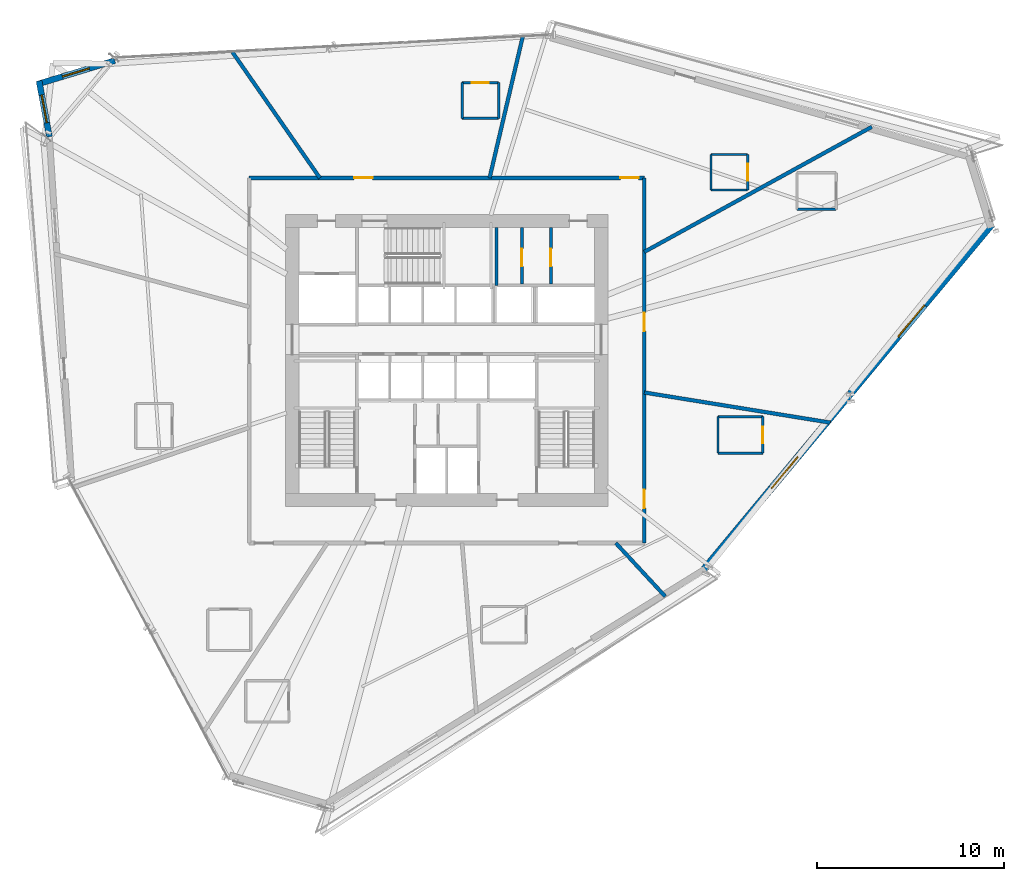
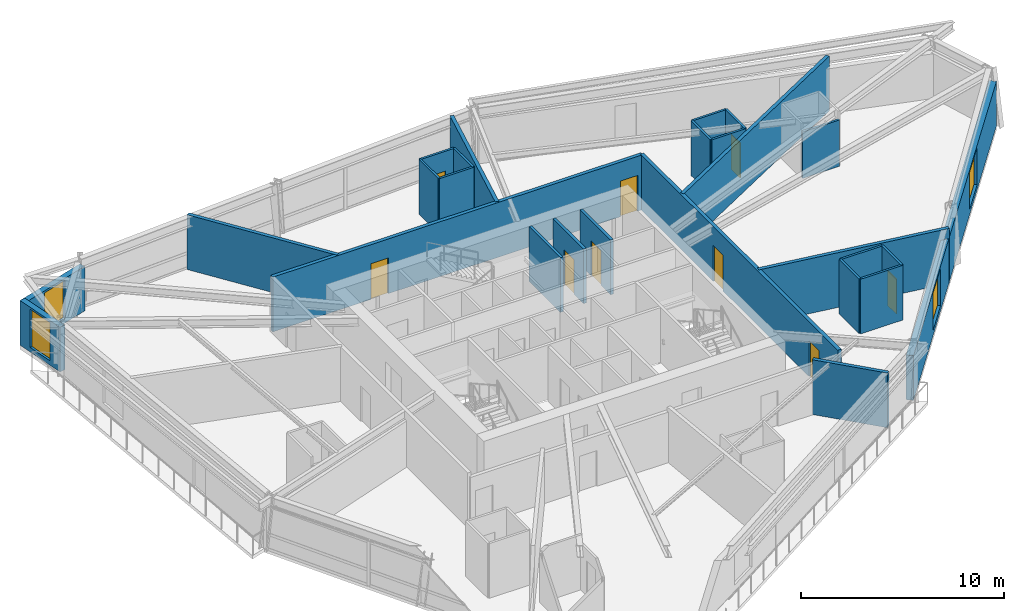
# One storey, part 16 of 21: 26 walls, 9 doors, 4 windows, 13 openings.
"""IFC4 building model written with IfcOpenShell, lengths in metres."""

from ifc_helpers import new_model, si_unit, direction, frame, frame_2d, origin, place, context, subcontext, project, spatial, rectangle, extrude, source, transform, mapped, material, layer, layer_set, type_object, type_shapes, element, fill, save


model = new_model("IFC4")

# Units and contexts
model_context = context("Model", 3, precision=1e-05, world=origin(), true_north=direction((0.0, 1.0)))
body_context = subcontext(model_context, "Body", "Model", "MODEL_VIEW")
ifc_project = project(units=[si_unit("LENGTHUNIT", "METRE"), si_unit("AREAUNIT", "SQUARE_METRE"), si_unit("VOLUMEUNIT", "CUBIC_METRE"), si_unit("PLANEANGLEUNIT", "RADIAN"), si_unit("MASSUNIT", "GRAM", prefix="KILO")], contexts=[model_context])

# Site, building, storey
site_placement = place(None, origin())
site = spatial("IfcSite", under=ifc_project, at=site_placement, CompositionType="ELEMENT")
building_placement = place(site_placement, origin())
building = spatial("IfcBuilding", under=site, at=building_placement, Name="Olszyna Solenne Hotel", CompositionType="ELEMENT")
storey_placement = place(building_placement, frame((0.0, 0.0, 105.699951171875)))
storey = spatial("IfcBuildingStorey", under=building, at=storey_placement, Name="L27", CompositionType="ELEMENT", Elevation=105.699951171875)

# Wall, opening, window
ifc_material_1 = material(Name="Precast concrete C45/55", Category="concrete")
ifc_layer_1 = layer(ifc_material_1, 0.320068359375, Name="Precast concrete C45/55")
ifc_layer_set_1 = layer_set([ifc_layer_1], Name="Precast concrete C45/55")
wall_type_1 = type_object("IfcWallType", Name="WL-EX320", PredefinedType="SOLIDWALL", material=ifc_layer_set_1)
wall_1_placement = place(storey_placement, frame((16.776123046875, 38.55029296875, 0.0), z_axis=(0.0, 0.0, 1.0), x_axis=(-0.181703114271, 0.98335343507, 0.0)))
wall_1 = element("IfcWall", 1, at=wall_1_placement, inside=storey, type_object=wall_type_1, Name="Exterior terracotta-precast frame wall WL-EX320 EW-L27-05", PredefinedType="SOLIDWALL", context=body_context, shape_type="SweptSolid", body=[
    extrude(rectangle(XDim=3.033935546875, YDim=0.320068359375, at=frame_2d((1.51708984375, 0.0))), origin(), (0.0, 0.0, 1.0), 2.692138671875),
])
opening_1_placement = place(wall_1_placement, frame((0.76708984375, 0.0, 0.27197265625)))
opening_1 = element("IfcOpeningElement", 2, at=opening_1_placement, cuts=wall_1, Name="Opening WN-L27-149", PredefinedType="OPENING", context=body_context, shape_type="SweptSolid", body=[
    extrude(rectangle(XDim=1.5, YDim=2.300048828125, at=frame_2d((0.75, 1.14990234375))), frame((0.0, 0.169921875, 0.0), z_axis=(0.0, -1.0, 0.0), x_axis=(1.0, 0.0, 0.0)), (0.0, 0.0, 1.0), 0.340087890625),
])
ifc_material_2 = material(Name="Low-E triple glazing", Category="glass")
window_type_1 = type_object("IfcWindowType", Name="WN-CH1", PartitioningType="SINGLE_PANEL", PredefinedType="WINDOW", material=ifc_material_2)
shared_shape_1 = source(origin(), body_context, "Body", "SweptSolid", [
    extrude(rectangle(XDim=1.5, YDim=2.300048828125, at=frame_2d((0.75, 1.14990234375))), frame((0.0, 0.030029296875, 0.0), z_axis=(0.0, -1.0, 0.0), x_axis=(1.0, 0.0, 0.0)), (0.0, 0.0, 1.0), 0.06005859375),
])
type_shapes(window_type_1, [shared_shape_1])
window_1_placement = place(opening_1_placement, origin())
window_1 = element("IfcWindow", 3, at=window_1_placement, inside=storey, type_object=window_type_1, Name="Exterior facade window WN-CH1 WN-L27-149", OverallHeight=2.300048828125, OverallWidth=1.5, PartitioningType="SINGLE_PANEL", PredefinedType="WINDOW", context=body_context, shape_type="MappedRepresentation", body=[
    mapped(shared_shape_1, transform((0.0, 0.0, 0.0), x_axis=(1.0, 0.0, 0.0), y_axis=(0.0, 1.0, 0.0), z_axis=(0.0, 0.0, 1.0), scale=1.0)),
])
fill(opening_1, window_1)

wall_2_placement = place(storey_placement, frame((16.1142578125, 41.3515625, 0.0), z_axis=(0.0, 0.0, 1.0), x_axis=(0.956635734965, 0.291286921415, 0.0)))
wall_2 = element("IfcWall", 4, at=wall_2_placement, inside=storey, type_object=wall_type_1, Name="Exterior terracotta-precast frame wall WL-EX320 EW-L27-06", PredefinedType="SOLIDWALL", context=body_context, shape_type="SweptSolid", body=[
    extrude(rectangle(XDim=4.341552734375, YDim=0.320068359375, at=frame_2d((2.1708984375, 0.0))), origin(), (0.0, 0.0, 1.0), 2.692138671875),
])
opening_2_placement = place(wall_2_placement, frame((1.4208984375, 0.0, 0.27197265625)))
opening_2 = element("IfcOpeningElement", 5, at=opening_2_placement, cuts=wall_2, Name="Opening WN-L27-150", PredefinedType="OPENING", context=body_context, shape_type="SweptSolid", body=[
    extrude(rectangle(XDim=1.5, YDim=2.300048828125, at=frame_2d((0.75, 1.14990234375))), frame((0.0, 0.169921875, 0.0), z_axis=(0.0, -1.0, 0.0), x_axis=(1.0, 0.0, 0.0)), (0.0, 0.0, 1.0), 0.340087890625),
])
window_2_placement = place(opening_2_placement, origin())
window_2 = element("IfcWindow", 6, at=window_2_placement, inside=storey, type_object=window_type_1, Name="Exterior facade window WN-CH1 WN-L27-150", OverallHeight=2.300048828125, OverallWidth=1.5, PartitioningType="SINGLE_PANEL", PredefinedType="WINDOW", context=body_context, shape_type="MappedRepresentation", body=[
    mapped(shared_shape_1, transform((0.0, 0.0, 0.0), x_axis=(1.0, 0.0, 0.0), y_axis=(0.0, 1.0, 0.0), z_axis=(0.0, 0.0, 1.0), scale=1.0)),
])
fill(opening_2, window_2)

# Wall, openings, windows
ifc_material_3 = material(Name="Terracotta cladding on precast concrete C45/55", Category="masonry")
ifc_layer_2 = layer(ifc_material_3, 0.3798828125, Name="Terracotta cladding on precast concrete C45/55")
ifc_layer_set_2 = layer_set([ifc_layer_2], Name="Terracotta cladding on precast concrete C45/55")
wall_type_2 = type_object("IfcWallType", Name="WL-EX380", PredefinedType="SOLIDWALL", material=ifc_layer_set_2)
wall_3_placement = place(storey_placement, frame((67.109375, 33.873291015625, 0.0), z_axis=(0.0, 0.0, 1.0), x_axis=(-0.640571779822, -0.767898297234, 0.0)))
wall_3 = element("IfcWall", 7, at=wall_3_placement, inside=storey, type_object=wall_type_2, Name="Exterior terracotta-precast frame wall WL-EX380 EW-L27-10", PredefinedType="SOLIDWALL", context=body_context, shape_type="SweptSolid", body=[
    extrude(rectangle(XDim=23.985107421875, YDim=0.3798828125, at=frame_2d((11.99267578125, 0.0))), origin(), (0.0, 0.0, 1.0), 2.692138671875),
])
opening_3_placement = place(wall_3_placement, frame((5.615966796875, 0.0, 0.322021484375)))
opening_3 = element("IfcOpeningElement", 8, at=opening_3_placement, cuts=wall_3, Name="Opening WN-L27-152", PredefinedType="OPENING", context=body_context, shape_type="SweptSolid", body=[
    extrude(rectangle(XDim=2.199951171875, YDim=2.25, at=frame_2d((1.10009765625, 1.125))), frame((0.0, 0.199951171875, 0.0), z_axis=(0.0, -1.0, 0.0), x_axis=(1.0, 0.0, 0.0)), (0.0, 0.0, 1.0), 0.39990234375),
])
opening_4_placement = place(wall_3_placement, frame((16.1689453125, 0.0, 0.322021484375)))
opening_4 = element("IfcOpeningElement", 9, at=opening_4_placement, cuts=wall_3, Name="Opening WN-L27-153", PredefinedType="OPENING", context=body_context, shape_type="SweptSolid", body=[
    extrude(rectangle(XDim=2.199951171875, YDim=2.25, at=frame_2d((1.10009765625, 1.125))), frame((0.0, 0.199951171875, 0.0), z_axis=(0.0, -1.0, 0.0), x_axis=(1.0, 0.0, 0.0)), (0.0, 0.0, 1.0), 0.39990234375),
])
window_type_2 = type_object("IfcWindowType", Name="WN-HT2", PartitioningType="SINGLE_PANEL", PredefinedType="WINDOW", material=ifc_material_2)
shared_shape_2 = source(origin(), body_context, "Body", "SweptSolid", [
    extrude(rectangle(XDim=2.199951171875, YDim=2.25, at=frame_2d((1.10009765625, 1.125))), frame((0.0, 0.030029296875, 0.0), z_axis=(0.0, -1.0, 0.0), x_axis=(1.0, 0.0, 0.0)), (0.0, 0.0, 1.0), 0.06005859375),
])
type_shapes(window_type_2, [shared_shape_2])
window_3_placement = place(opening_3_placement, origin())
window_3 = element("IfcWindow", 10, at=window_3_placement, inside=storey, type_object=window_type_2, Name="Exterior facade window WN-HT2 WN-L27-152", OverallHeight=2.25, OverallWidth=2.199951171875, PartitioningType="SINGLE_PANEL", PredefinedType="WINDOW", context=body_context, shape_type="MappedRepresentation", body=[
    mapped(shared_shape_2, transform((0.0, 0.0, 0.0), x_axis=(1.0, 0.0, 0.0), y_axis=(0.0, 1.0, 0.0), z_axis=(0.0, 0.0, 1.0), scale=1.0)),
])
fill(opening_3, window_3)
window_4_placement = place(opening_4_placement, origin())
window_4 = element("IfcWindow", 11, at=window_4_placement, inside=storey, type_object=window_type_2, Name="Exterior facade window WN-HT2 WN-L27-153", OverallHeight=2.25, OverallWidth=2.199951171875, PartitioningType="SINGLE_PANEL", PredefinedType="WINDOW", context=body_context, shape_type="MappedRepresentation", body=[
    mapped(shared_shape_2, transform((0.0, 0.0, 0.0), x_axis=(1.0, 0.0, 0.0), y_axis=(0.0, 1.0, 0.0), z_axis=(0.0, 0.0, 1.0), scale=1.0)),
])
fill(opening_4, window_4)

# Wall, opening, door
ifc_material_4 = material(Name="Acoustic gypsum partition", Category="gypsum")
ifc_layer_3 = layer(ifc_material_4, 0.125, Name="Acoustic gypsum partition")
ifc_layer_set_3 = layer_set([ifc_layer_3], Name="Acoustic gypsum partition")
wall_type_3 = type_object("IfcWallType", Name="WL-PT125", PredefinedType="PARTITIONING", material=ifc_layer_set_3)
wall_4_placement = place(storey_placement, frame((54.885009765625, 21.64794921875, 0.0), z_axis=(0.0, 0.0, 1.0), x_axis=(0.0, 1.0, 0.0)))
wall_4 = element("IfcWall", 12, at=wall_4_placement, inside=storey, type_object=wall_type_3, Name="Interior acoustic partition WL-PT125 PW-L27-1567", PredefinedType="PARTITIONING", context=body_context, shape_type="SweptSolid", body=[
    extrude(rectangle(XDim=1.949951171875, YDim=0.125, at=frame_2d((0.97509765625, 0.0))), origin(), (0.0, 0.0, 1.0), 3.300048828125),
])
opening_5_placement = place(wall_4_placement, frame((0.52490234375, 0.0, 0.0)))
opening_5 = element("IfcOpeningElement", 13, at=opening_5_placement, cuts=wall_4, Name="Opening DR-L27-0367", PredefinedType="OPENING", context=body_context, shape_type="SweptSolid", body=[
    extrude(rectangle(XDim=0.89990234375, YDim=2.10009765625, at=frame_2d((0.449951171875, 1.050048828125))), frame((0.0, 0.072509765625, 0.0), z_axis=(0.0, -1.0, 0.0), x_axis=(1.0, 0.0, 0.0)), (0.0, 0.0, 1.0), 0.14501953125),
])
ifc_material_5 = material(Name="Timber hardwood", Category="wood")
door_type_1 = type_object("IfcDoorType", Name="DR-WC1", OperationType="NOTDEFINED", PredefinedType="DOOR", material=ifc_material_5)
shared_shape_3 = source(origin(), body_context, "Body", "SweptSolid", [
    extrude(rectangle(XDim=0.89990234375, YDim=2.10009765625, at=frame_2d((0.449951171875, 1.050048828125))), frame((0.0, 0.02490234375, 0.0), z_axis=(0.0, -1.0, 0.0), x_axis=(1.0, 0.0, 0.0)), (0.0, 0.0, 1.0), 0.050048828125),
])
type_shapes(door_type_1, [shared_shape_3])
door_1_placement = place(opening_5_placement, origin())
door_1 = element("IfcDoor", 14, at=door_1_placement, inside=storey, type_object=door_type_1, Name="En-Suite Bathroom Door DR-L27-0367", OperationType="SINGLE_SWING_RIGHT", OverallHeight=2.10009765625, OverallWidth=0.89990234375, PredefinedType="DOOR", context=body_context, shape_type="MappedRepresentation", body=[
    mapped(shared_shape_3, transform((0.0, 0.0, 0.0), x_axis=(1.0, 0.0, 0.0), y_axis=(0.0, 1.0, 0.0), z_axis=(0.0, 0.0, 1.0), scale=1.0)),
])
fill(opening_5, door_1)

# Walls
wall_5_placement = place(storey_placement, frame((54.885009765625, 23.597900390625, 0.0), z_axis=(0.0, 0.0, 1.0), x_axis=(-1.0, 0.0, 0.0)))
element("IfcWall", 15, at=wall_5_placement, inside=storey, type_object=wall_type_3, Name="Interior acoustic partition WL-PT125 PW-L27-1568", PredefinedType="PARTITIONING", context=body_context, shape_type="SweptSolid", body=[
    extrude(rectangle(XDim=2.39990234375, YDim=0.125, at=frame_2d((1.199951171875, 0.0))), origin(), (0.0, 0.0, 1.0), 3.300048828125),
])
wall_6_placement = place(storey_placement, frame((52.485107421875, 23.597900390625, 0.0), z_axis=(0.0, 0.0, 1.0), x_axis=(0.0, -1.0, 0.0)))
element("IfcWall", 16, at=wall_6_placement, inside=storey, type_object=wall_type_3, Name="Interior acoustic partition WL-PT125 PW-L27-1569", PredefinedType="PARTITIONING", context=body_context, shape_type="SweptSolid", body=[
    extrude(rectangle(XDim=1.949951171875, YDim=0.125, at=frame_2d((0.97509765625, 0.0))), origin(), (0.0, 0.0, 1.0), 3.300048828125),
])
wall_7_placement = place(storey_placement, frame((52.485107421875, 21.64794921875, 0.0), z_axis=(0.0, 0.0, 1.0), x_axis=(1.0, 0.0, 0.0)))
element("IfcWall", 17, at=wall_7_placement, inside=storey, type_object=wall_type_3, Name="Interior acoustic partition WL-PT125 PW-L27-1570", PredefinedType="PARTITIONING", context=body_context, shape_type="SweptSolid", body=[
    extrude(rectangle(XDim=2.39990234375, YDim=0.125, at=frame_2d((1.199951171875, 0.0))), origin(), (0.0, 0.0, 1.0), 3.300048828125),
])
wall_8_placement = place(storey_placement, frame((56.701904296875, 34.674072265625, 0.0), z_axis=(0.0, 0.0, 1.0), x_axis=(1.0, 0.0, 0.0)))
element("IfcWall", 18, at=wall_8_placement, inside=storey, type_object=wall_type_3, Name="Interior acoustic partition WL-PT125 PW-L27-1574", PredefinedType="PARTITIONING", context=body_context, shape_type="SweptSolid", body=[
    extrude(rectangle(XDim=2.10009765625, YDim=0.125, at=frame_2d((1.050048828125, 0.0))), origin(), (0.0, 0.0, 1.0), 2.795166015625),
])

# Wall, opening, door
wall_9_placement = place(storey_placement, frame((54.06689453125, 35.705078125, 0.0), z_axis=(0.0, 0.0, 1.0), x_axis=(0.0, 1.0, 0.0)))
wall_9 = element("IfcWall", 19, at=wall_9_placement, inside=storey, type_object=wall_type_3, Name="Interior acoustic partition WL-PT125 PW-L27-1575", PredefinedType="PARTITIONING", context=body_context, shape_type="SweptSolid", body=[
    extrude(rectangle(XDim=1.89990234375, YDim=0.125, at=frame_2d((0.949951171875, 0.0))), origin(), (0.0, 0.0, 1.0), 3.300048828125),
])
opening_6_placement = place(wall_9_placement, frame((0.5, 0.0, 0.0)))
opening_6 = element("IfcOpeningElement", 20, at=opening_6_placement, cuts=wall_9, Name="Opening DR-L27-0369", PredefinedType="OPENING", context=body_context, shape_type="SweptSolid", body=[
    extrude(rectangle(XDim=0.89990234375, YDim=2.10009765625, at=frame_2d((0.449951171875, 1.050048828125))), frame((0.0, 0.072509765625, 0.0), z_axis=(0.0, -1.0, 0.0), x_axis=(1.0, 0.0, 0.0)), (0.0, 0.0, 1.0), 0.14501953125),
])
door_2_placement = place(opening_6_placement, origin())
door_2 = element("IfcDoor", 21, at=door_2_placement, inside=storey, type_object=door_type_1, Name="En-Suite Bathroom Door DR-L27-0369", OperationType="SINGLE_SWING_RIGHT", OverallHeight=2.10009765625, OverallWidth=0.89990234375, PredefinedType="DOOR", context=body_context, shape_type="MappedRepresentation", body=[
    mapped(shared_shape_3, transform((0.0, 0.0, 0.0), x_axis=(1.0, 0.0, 0.0), y_axis=(0.0, 1.0, 0.0), z_axis=(0.0, 0.0, 1.0), scale=1.0)),
])
fill(opening_6, door_2)

# Walls
wall_10_placement = place(storey_placement, frame((54.06689453125, 37.60498046875, 0.0), z_axis=(0.0, 0.0, 1.0), x_axis=(-1.0, 0.0, 0.0)))
element("IfcWall", 22, at=wall_10_placement, inside=storey, type_object=wall_type_3, Name="Interior acoustic partition WL-PT125 PW-L27-1576", PredefinedType="PARTITIONING", context=body_context, shape_type="SweptSolid", body=[
    extrude(rectangle(XDim=1.949951171875, YDim=0.125, at=frame_2d((0.97509765625, 0.0))), origin(), (0.0, 0.0, 1.0), 3.300048828125),
])
wall_11_placement = place(storey_placement, frame((52.116943359375, 37.60498046875, 0.0), z_axis=(0.0, 0.0, 1.0), x_axis=(0.0, -1.0, 0.0)))
element("IfcWall", 23, at=wall_11_placement, inside=storey, type_object=wall_type_3, Name="Interior acoustic partition WL-PT125 PW-L27-1577", PredefinedType="PARTITIONING", context=body_context, shape_type="SweptSolid", body=[
    extrude(rectangle(XDim=1.89990234375, YDim=0.125, at=frame_2d((0.949951171875, 0.0))), origin(), (0.0, 0.0, 1.0), 3.300048828125),
])
wall_12_placement = place(storey_placement, frame((52.116943359375, 35.705078125, 0.0), z_axis=(0.0, 0.0, 1.0), x_axis=(1.0, 0.0, 0.0)))
element("IfcWall", 24, at=wall_12_placement, inside=storey, type_object=wall_type_3, Name="Interior acoustic partition WL-PT125 PW-L27-1578", PredefinedType="PARTITIONING", context=body_context, shape_type="SweptSolid", body=[
    extrude(rectangle(XDim=1.949951171875, YDim=0.125, at=frame_2d((0.97509765625, 0.0))), origin(), (0.0, 0.0, 1.0), 3.300048828125),
])
wall_13_placement = place(storey_placement, frame((40.77099609375, 39.537109375, 0.0), z_axis=(0.0, 0.0, 1.0), x_axis=(0.0, 1.0, 0.0)))
element("IfcWall", 25, at=wall_13_placement, inside=storey, type_object=wall_type_3, Name="Interior acoustic partition WL-PT125 PW-L27-1579", PredefinedType="PARTITIONING", context=body_context, shape_type="SweptSolid", body=[
    extrude(rectangle(XDim=1.89990234375, YDim=0.125, at=frame_2d((0.949951171875, 0.0))), origin(), (0.0, 0.0, 1.0), 3.300048828125),
])

# Wall, opening, door
wall_14_placement = place(storey_placement, frame((40.77099609375, 41.43701171875, 0.0), z_axis=(0.0, 0.0, 1.0), x_axis=(-1.0, 0.0, 0.0)))
wall_14 = element("IfcWall", 26, at=wall_14_placement, inside=storey, type_object=wall_type_3, Name="Interior acoustic partition WL-PT125 PW-L27-1580", PredefinedType="PARTITIONING", context=body_context, shape_type="SweptSolid", body=[
    extrude(rectangle(XDim=1.949951171875, YDim=0.125, at=frame_2d((0.97509765625, 0.0))), origin(), (0.0, 0.0, 1.0), 3.300048828125),
])
opening_7_placement = place(wall_14_placement, frame((0.52490234375, 0.0, 0.0)))
opening_7 = element("IfcOpeningElement", 27, at=opening_7_placement, cuts=wall_14, Name="Opening DR-L27-0370", PredefinedType="OPENING", context=body_context, shape_type="SweptSolid", body=[
    extrude(rectangle(XDim=0.89990234375, YDim=2.10009765625, at=frame_2d((0.449951171875, 1.050048828125))), frame((0.0, 0.072509765625, 0.0), z_axis=(0.0, -1.0, 0.0), x_axis=(1.0, 0.0, 0.0)), (0.0, 0.0, 1.0), 0.14501953125),
])
door_3_placement = place(opening_7_placement, origin())
door_3 = element("IfcDoor", 28, at=door_3_placement, inside=storey, type_object=door_type_1, Name="En-Suite Bathroom Door DR-L27-0370", OperationType="SINGLE_SWING_LEFT", OverallHeight=2.10009765625, OverallWidth=0.89990234375, PredefinedType="DOOR", context=body_context, shape_type="MappedRepresentation", body=[
    mapped(shared_shape_3, transform((0.0, 0.0, 0.0), x_axis=(1.0, 0.0, 0.0), y_axis=(0.0, 1.0, 0.0), z_axis=(0.0, 0.0, 1.0), scale=1.0)),
])
fill(opening_7, door_3)

# Walls
wall_15_placement = place(storey_placement, frame((38.821044921875, 41.43701171875, 0.0), z_axis=(0.0, 0.0, 1.0), x_axis=(0.0, -1.0, 0.0)))
element("IfcWall", 29, at=wall_15_placement, inside=storey, type_object=wall_type_3, Name="Interior acoustic partition WL-PT125 PW-L27-1581", PredefinedType="PARTITIONING", context=body_context, shape_type="SweptSolid", body=[
    extrude(rectangle(XDim=1.89990234375, YDim=0.125, at=frame_2d((0.949951171875, 0.0))), origin(), (0.0, 0.0, 1.0), 3.300048828125),
])
wall_16_placement = place(storey_placement, frame((38.821044921875, 39.537109375, 0.0), z_axis=(0.0, 0.0, 1.0), x_axis=(1.0, 0.0, 0.0)))
element("IfcWall", 30, at=wall_16_placement, inside=storey, type_object=wall_type_3, Name="Interior acoustic partition WL-PT125 PW-L27-1582", PredefinedType="PARTITIONING", context=body_context, shape_type="SweptSolid", body=[
    extrude(rectangle(XDim=1.949951171875, YDim=0.125, at=frame_2d((0.97509765625, 0.0))), origin(), (0.0, 0.0, 1.0), 3.300048828125),
])
ifc_layer_4 = layer(ifc_material_4, 0.159912109375, Name="Acoustic gypsum partition")
ifc_layer_set_4 = layer_set([ifc_layer_4], Name="Acoustic gypsum partition")
wall_type_4 = type_object("IfcWallType", Name="WL-PT160", PredefinedType="PARTITIONING", material=ifc_layer_set_4)
wall_17_placement = place(storey_placement, frame((40.659912109375, 30.60009765625, 0.0), z_axis=(0.0, 0.0, 1.0), x_axis=(0.0, 1.0, 0.0)))
element("IfcWall", 31, at=wall_17_placement, inside=storey, type_object=wall_type_4, Name="Core shaft compartment wall CW-L27-ST3E", PredefinedType="PARTITIONING", context=body_context, shape_type="SweptSolid", body=[
    extrude(rectangle(XDim=3.099853515625, YDim=0.159912109375, at=frame_2d((1.5498046875, 0.0))), origin(), (0.0, 0.0, 1.0), 3.300048828125),
])

# Wall, opening, door
wall_18_placement = place(storey_placement, frame((42.014892578125, 30.679931640625, 0.0), z_axis=(0.0, 0.0, 1.0), x_axis=(0.0, 1.0, 0.0)))
wall_18 = element("IfcWall", 32, at=wall_18_placement, inside=storey, type_object=wall_type_4, Name="Core shaft compartment wall CW-L27-BOH3A", PredefinedType="PARTITIONING", context=body_context, shape_type="SweptSolid", body=[
    extrude(rectangle(XDim=3.02001953125, YDim=0.159912109375, at=frame_2d((1.510009765625, 0.0))), origin(), (0.0, 0.0, 1.0), 3.300048828125),
])
opening_8_placement = place(wall_18_placement, frame((0.949951171875, 0.0, 0.0)))
opening_8 = element("IfcOpeningElement", 33, at=opening_8_placement, cuts=wall_18, Name="Opening SVD-L27-B31", PredefinedType="OPENING", context=body_context, shape_type="SweptSolid", body=[
    extrude(rectangle(XDim=0.949951171875, YDim=2.10009765625, at=frame_2d((0.47509765625, 1.050048828125))), frame((0.0, 0.08984375, 0.0), z_axis=(0.0, -1.0, 0.0), x_axis=(1.0, 0.0, 0.0)), (0.0, 0.0, 1.0), 0.179931640625),
])
ifc_material_6 = material(Name="Steel S355J2", Category="steel")
door_type_2 = type_object("IfcDoorType", Name="DR-SV1", OperationType="NOTDEFINED", PredefinedType="DOOR", material=ifc_material_6)
shared_shape_4 = source(origin(), body_context, "Body", "SweptSolid", [
    extrude(rectangle(XDim=0.949951171875, YDim=2.10009765625, at=frame_2d((0.47509765625, 1.050048828125))), frame((0.0, 0.02490234375, 0.0), z_axis=(0.0, -1.0, 0.0), x_axis=(1.0, 0.0, 0.0)), (0.0, 0.0, 1.0), 0.050048828125),
])
type_shapes(door_type_2, [shared_shape_4])
door_4_placement = place(opening_8_placement, origin())
door_4 = element("IfcDoor", 34, at=door_4_placement, inside=storey, type_object=door_type_2, Name="BOH inter-room fire door SVD-L27-B31", OperationType="SINGLE_SWING_LEFT", OverallHeight=2.10009765625, OverallWidth=0.949951171875, PredefinedType="DOOR", context=body_context, shape_type="MappedRepresentation", body=[
    mapped(shared_shape_4, transform((0.0, 0.0, 0.0), x_axis=(1.0, 0.0, 0.0), y_axis=(0.0, 1.0, 0.0), z_axis=(0.0, 0.0, 1.0), scale=1.0)),
])
fill(opening_8, door_4)

wall_19_placement = place(storey_placement, frame((43.554931640625, 30.679931640625, 0.0), z_axis=(0.0, 0.0, 1.0), x_axis=(0.0, 1.0, 0.0)))
wall_19 = element("IfcWall", 35, at=wall_19_placement, inside=storey, type_object=wall_type_4, Name="Core shaft compartment wall CW-L27-BOH3B", PredefinedType="PARTITIONING", context=body_context, shape_type="SweptSolid", body=[
    extrude(rectangle(XDim=3.02001953125, YDim=0.159912109375, at=frame_2d((1.510009765625, 0.0))), origin(), (0.0, 0.0, 1.0), 3.300048828125),
])
opening_9_placement = place(wall_19_placement, frame((0.949951171875, 0.0, 0.0)))
opening_9 = element("IfcOpeningElement", 36, at=opening_9_placement, cuts=wall_19, Name="Opening SVD-L27-B32", PredefinedType="OPENING", context=body_context, shape_type="SweptSolid", body=[
    extrude(rectangle(XDim=0.949951171875, YDim=2.10009765625, at=frame_2d((0.47509765625, 1.050048828125))), frame((0.0, 0.08984375, 0.0), z_axis=(0.0, -1.0, 0.0), x_axis=(1.0, 0.0, 0.0)), (0.0, 0.0, 1.0), 0.179931640625),
])
door_5_placement = place(opening_9_placement, origin())
door_5 = element("IfcDoor", 37, at=door_5_placement, inside=storey, type_object=door_type_2, Name="BOH inter-room fire door SVD-L27-B32", OperationType="SINGLE_SWING_LEFT", OverallHeight=2.10009765625, OverallWidth=0.949951171875, PredefinedType="DOOR", context=body_context, shape_type="MappedRepresentation", body=[
    mapped(shared_shape_4, transform((0.0, 0.0, 0.0), x_axis=(1.0, 0.0, 0.0), y_axis=(0.0, 1.0, 0.0), z_axis=(0.0, 0.0, 1.0), scale=1.0)),
])
fill(opening_9, door_5)

# Walls
ifc_layer_5 = layer(ifc_material_4, 0.199951171875, Name="Acoustic gypsum partition")
ifc_layer_set_5 = layer_set([ifc_layer_5], Name="Acoustic gypsum partition")
wall_type_5 = type_object("IfcWallType", Name="WL-PT200", PredefinedType="PARTITIONING", material=ifc_layer_set_5)
wall_20_placement = place(storey_placement, frame((47.028564453125, 16.85009765625, 0.0), z_axis=(0.0, 0.0, 1.0), x_axis=(0.679439321048, -0.733731700974, 0.0)))
element("IfcWall", 38, at=wall_20_placement, inside=storey, type_object=wall_type_5, Name="Interior acoustic partition WL-PT200 PW-L27-1549", PredefinedType="PARTITIONING", context=body_context, shape_type="SweptSolid", body=[
    extrude(rectangle(XDim=3.8896484375, YDim=0.199951171875, at=frame_2d((1.94482421875, 0.0))), origin(), (0.0, 0.0, 1.0), 3.300048828125),
])
wall_21_placement = place(storey_placement, frame((48.550048828125, 24.891357421875, 0.0), z_axis=(0.0, 0.0, 1.0), x_axis=(0.987134473354, -0.159892249709, 0.0)))
element("IfcWall", 39, at=wall_21_placement, inside=storey, type_object=wall_type_5, Name="Interior acoustic partition WL-PT200 PW-L27-1550", PredefinedType="PARTITIONING", context=body_context, shape_type="SweptSolid", body=[
    extrude(rectangle(XDim=10.062255859375, YDim=0.199951171875, at=frame_2d((5.03125, 0.0))), origin(), (0.0, 0.0, 1.0), 3.300048828125),
])
wall_22_placement = place(storey_placement, frame((48.550048828125, 32.39990234375, 0.0), z_axis=(0.0, 0.0, 1.0), x_axis=(0.87630505822, 0.481756624176, 0.0)))
element("IfcWall", 40, at=wall_22_placement, inside=storey, type_object=wall_type_5, Name="Interior acoustic partition WL-PT200 PW-L27-1551", PredefinedType="PARTITIONING", context=body_context, shape_type="SweptSolid", body=[
    extrude(rectangle(XDim=13.87451171875, YDim=0.199951171875, at=frame_2d((6.937255859375, 0.0))), origin(), (0.0, 0.0, 1.0), 3.300048828125),
])
wall_23_placement = place(storey_placement, frame((40.286865234375, 36.35009765625, 0.0), z_axis=(0.0, 0.0, 1.0), x_axis=(0.22833612857, 0.973582360353, 0.0)))
element("IfcWall", 41, at=wall_23_placement, inside=storey, type_object=wall_type_5, Name="Interior acoustic partition WL-PT200 PW-L27-1552", PredefinedType="PARTITIONING", context=body_context, shape_type="SweptSolid", body=[
    extrude(rectangle(XDim=7.7412109375, YDim=0.199951171875, at=frame_2d((3.87060546875, 0.0))), origin(), (0.0, 0.0, 1.0), 3.300048828125),
])
wall_24_placement = place(storey_placement, frame((31.2236328125, 36.35009765625, 0.0), z_axis=(0.0, 0.0, 1.0), x_axis=(-0.570714905011, 0.821148279666, 0.0)))
element("IfcWall", 42, at=wall_24_placement, inside=storey, type_object=wall_type_5, Name="Interior acoustic partition WL-PT200 PW-L27-1553", PredefinedType="PARTITIONING", context=body_context, shape_type="SweptSolid", body=[
    extrude(rectangle(XDim=8.18603515625, YDim=0.199951171875, at=frame_2d((4.093017578125, 0.0))), origin(), (0.0, 0.0, 1.0), 3.300048828125),
])

# Wall, openings, doors
wall_25_placement = place(storey_placement, frame((27.449951171875, 36.35009765625, 0.0), z_axis=(0.0, 0.0, 1.0), x_axis=(1.0, 0.0, 0.0)))
wall_25 = element("IfcWall", 43, at=wall_25_placement, inside=storey, type_object=wall_type_5, Name="Interior acoustic partition WL-PT200 PW-L27-1589", PredefinedType="PARTITIONING", context=body_context, shape_type="SweptSolid", body=[
    extrude(rectangle(XDim=21.10009765625, YDim=0.199951171875, at=frame_2d((10.550048828125, 0.0))), origin(), (0.0, 0.0, 1.0), 3.300048828125),
])
opening_10_placement = place(wall_25_placement, frame((19.820068359375, 0.0, 0.0)))
opening_10 = element("IfcOpeningElement", 44, at=opening_10_placement, cuts=wall_25, Name="Opening DR-L27-0377", PredefinedType="OPENING", context=body_context, shape_type="SweptSolid", body=[
    extrude(rectangle(XDim=0.97998046875, YDim=2.14990234375, at=frame_2d((0.489990234375, 1.074951171875))), frame((0.0, 0.10986328125, 0.0), z_axis=(0.0, -1.0, 0.0), x_axis=(1.0, 0.0, 0.0)), (0.0, 0.0, 1.0), 0.219970703125),
])
opening_11_placement = place(wall_25_placement, frame((5.60498046875, 0.0, 0.0)))
opening_11 = element("IfcOpeningElement", 45, at=opening_11_placement, cuts=wall_25, Name="Opening DR-L27-0378", PredefinedType="OPENING", context=body_context, shape_type="SweptSolid", body=[
    extrude(rectangle(XDim=0.97998046875, YDim=2.14990234375, at=frame_2d((0.489990234375, 1.074951171875))), frame((0.0, 0.10986328125, 0.0), z_axis=(0.0, -1.0, 0.0), x_axis=(1.0, 0.0, 0.0)), (0.0, 0.0, 1.0), 0.219970703125),
])
door_type_3 = type_object("IfcDoorType", Name="DR-RM1", OperationType="NOTDEFINED", PredefinedType="DOOR", material=ifc_material_5)
shared_shape_5 = source(origin(), body_context, "Body", "SweptSolid", [
    extrude(rectangle(XDim=0.97998046875, YDim=2.14990234375, at=frame_2d((0.489990234375, 1.074951171875))), frame((0.0, 0.02490234375, 0.0), z_axis=(0.0, -1.0, 0.0), x_axis=(1.0, 0.0, 0.0)), (0.0, 0.0, 1.0), 0.050048828125),
])
type_shapes(door_type_3, [shared_shape_5])
door_6_placement = place(opening_10_placement, origin())
door_6 = element("IfcDoor", 46, at=door_6_placement, inside=storey, type_object=door_type_3, Name="Premier King Suite Entrance Door DR-L27-0377", OperationType="SINGLE_SWING_LEFT", OverallHeight=2.14990234375, OverallWidth=0.97998046875, PredefinedType="DOOR", context=body_context, shape_type="MappedRepresentation", body=[
    mapped(shared_shape_5, transform((0.0, 0.0, 0.0), x_axis=(1.0, 0.0, 0.0), y_axis=(0.0, 1.0, 0.0), z_axis=(0.0, 0.0, 1.0), scale=1.0)),
])
fill(opening_10, door_6)
door_7_placement = place(opening_11_placement, origin())
door_7 = element("IfcDoor", 47, at=door_7_placement, inside=storey, type_object=door_type_3, Name="Premier King Suite Entrance Door DR-L27-0378", OperationType="SINGLE_SWING_RIGHT", OverallHeight=2.14990234375, OverallWidth=0.97998046875, PredefinedType="DOOR", context=body_context, shape_type="MappedRepresentation", body=[
    mapped(shared_shape_5, transform((0.0, 0.0, 0.0), x_axis=(1.0, 0.0, 0.0), y_axis=(0.0, 1.0, 0.0), z_axis=(0.0, 0.0, 1.0), scale=1.0)),
])
fill(opening_11, door_7)

wall_26_placement = place(storey_placement, frame((48.550048828125, 16.85009765625, 0.0), z_axis=(0.0, 0.0, 1.0), x_axis=(0.0, 1.0, 0.0)))
wall_26 = element("IfcWall", 48, at=wall_26_placement, inside=storey, type_object=wall_type_5, Name="Interior acoustic partition WL-PT200 PW-L27-1590", PredefinedType="PARTITIONING", context=body_context, shape_type="SweptSolid", body=[
    extrude(rectangle(XDim=19.5, YDim=0.199951171875, at=frame_2d((9.75, 0.0))), origin(), (0.0, 0.0, 1.0), 3.300048828125),
])
opening_12_placement = place(wall_26_placement, frame((1.868896484375, 0.0, 0.0)))
opening_12 = element("IfcOpeningElement", 49, at=opening_12_placement, cuts=wall_26, Name="Opening DR-L27-0379", PredefinedType="OPENING", context=body_context, shape_type="SweptSolid", body=[
    extrude(rectangle(XDim=0.97998046875, YDim=2.14990234375, at=frame_2d((0.489990234375, 1.074951171875))), frame((0.0, 0.10986328125, 0.0), z_axis=(0.0, -1.0, 0.0), x_axis=(1.0, 0.0, 0.0)), (0.0, 0.0, 1.0), 0.219970703125),
])
opening_13_placement = place(wall_26_placement, frame((11.324951171875, 0.0, 0.0)))
opening_13 = element("IfcOpeningElement", 50, at=opening_13_placement, cuts=wall_26, Name="Opening DR-L27-0380", PredefinedType="OPENING", context=body_context, shape_type="SweptSolid", body=[
    extrude(rectangle(XDim=0.97998046875, YDim=2.14990234375, at=frame_2d((0.489990234375, 1.074951171875))), frame((0.0, 0.10986328125, 0.0), z_axis=(0.0, -1.0, 0.0), x_axis=(1.0, 0.0, 0.0)), (0.0, 0.0, 1.0), 0.219970703125),
])
door_8_placement = place(opening_12_placement, origin())
door_8 = element("IfcDoor", 51, at=door_8_placement, inside=storey, type_object=door_type_3, Name="Deluxe Hotel Guestroom Entrance Door DR-L27-0379", OperationType="SINGLE_SWING_LEFT", OverallHeight=2.14990234375, OverallWidth=0.97998046875, PredefinedType="DOOR", context=body_context, shape_type="MappedRepresentation", body=[
    mapped(shared_shape_5, transform((0.0, 0.0, 0.0), x_axis=(1.0, 0.0, 0.0), y_axis=(0.0, 1.0, 0.0), z_axis=(0.0, 0.0, 1.0), scale=1.0)),
])
fill(opening_12, door_8)
door_9_placement = place(opening_13_placement, origin())
door_9 = element("IfcDoor", 52, at=door_9_placement, inside=storey, type_object=door_type_3, Name="Deluxe Hotel Guestroom Entrance Door DR-L27-0380", OperationType="SINGLE_SWING_RIGHT", OverallHeight=2.14990234375, OverallWidth=0.97998046875, PredefinedType="DOOR", context=body_context, shape_type="MappedRepresentation", body=[
    mapped(shared_shape_5, transform((0.0, 0.0, 0.0), x_axis=(1.0, 0.0, 0.0), y_axis=(0.0, 1.0, 0.0), z_axis=(0.0, 0.0, 1.0), scale=1.0)),
])
fill(opening_13, door_9)

save(model, "model.ifc")
